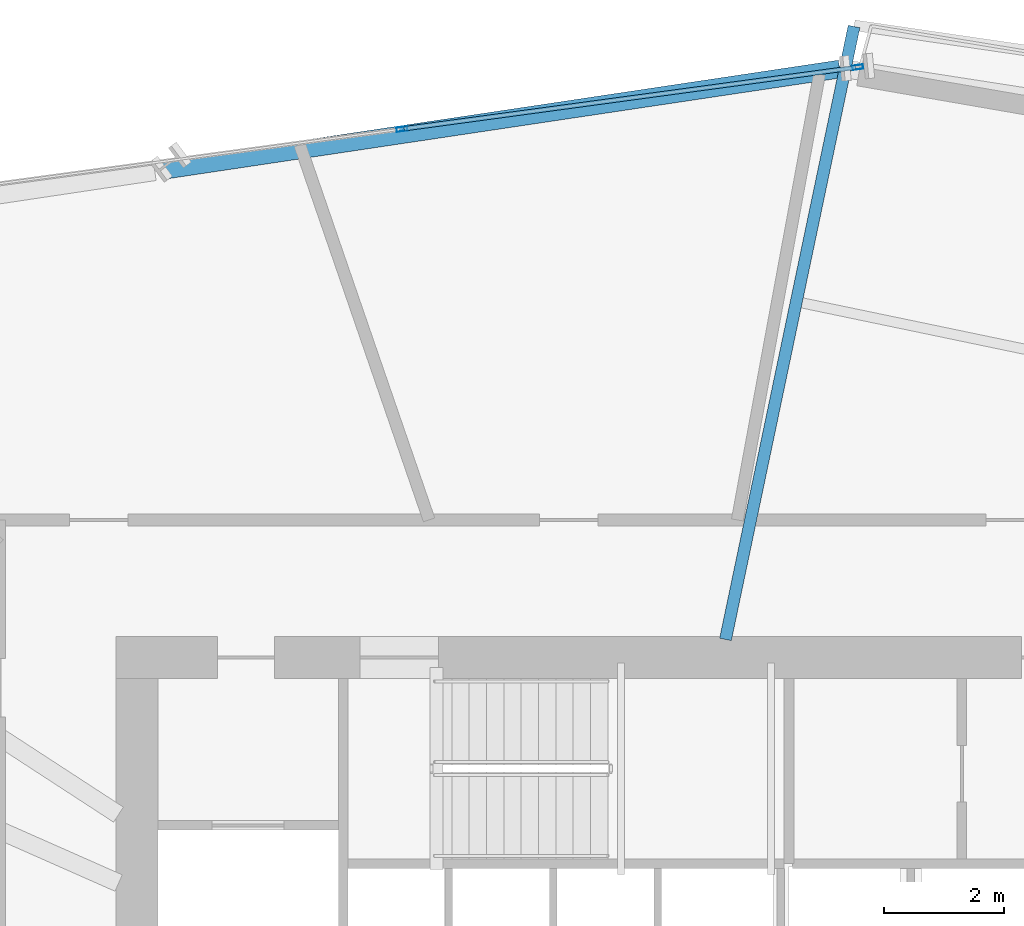
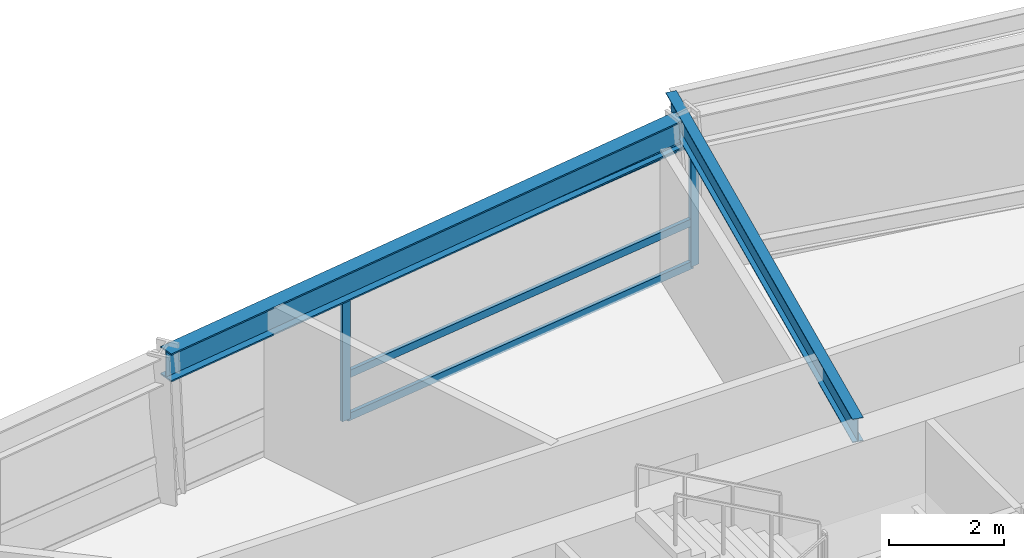
# One storey, part 7 of 16: 5 members, 2 beams, 1 element without a shape of its own.
"""IFC4 building model written with IfcOpenShell, lengths in metres."""

from ifc_helpers import new_model, si_unit, direction, frame, origin, origin_2d, place, context, subcontext, project, spatial, hollow_rectangle, i_section, extrude, source, transform, mapped, material, material_profile, profile_set, type_object, element, aggregate, save


model = new_model("IFC4")

# Units and contexts
model_context = context("Model", 3, precision=1e-05, world=origin(), true_north=direction((0.0, 1.0)))
body_context = subcontext(model_context, "Body", "Model", "MODEL_VIEW")
ifc_project = project(units=[si_unit("LENGTHUNIT", "METRE"), si_unit("AREAUNIT", "SQUARE_METRE"), si_unit("VOLUMEUNIT", "CUBIC_METRE"), si_unit("PLANEANGLEUNIT", "RADIAN"), si_unit("MASSUNIT", "GRAM", prefix="KILO")], contexts=[model_context])

# Site, building, storey
site_placement = place(None, origin())
site = spatial("IfcSite", under=ifc_project, at=site_placement, CompositionType="ELEMENT")
building_placement = place(site_placement, origin())
building = spatial("IfcBuilding", under=site, at=building_placement, Name="Olszyna Solenne Hotel", CompositionType="ELEMENT")
storey_placement = place(building_placement, frame((0.0, 0.0, 127.0)))
storey = spatial("IfcBuildingStorey", under=building, at=storey_placement, Name="L33", CompositionType="ELEMENT", Elevation=127.0)

# Beams
ifc_material_1 = material(Name="Steel S355J2", Category="steel")
ifc_material_profile_1 = material_profile(ifc_material_1, i_section(OverallWidth=0.300048828125, OverallDepth=0.60009765625, WebThickness=0.015380859375, FlangeThickness=0.030029296875, at=origin_2d()), Name="HEB 600", Category="load-bearing")
ifc_profile_set_1 = profile_set([ifc_material_profile_1], Name="Steel S355J2")
beam_type_1 = type_object("IfcBeamType", Name="BM-S2", PredefinedType="BEAM", material=ifc_profile_set_1)
shared_shape_1 = source(origin(), body_context, "Body", "SweptSolid", [
    extrude(i_section(OverallWidth=0.300048828125, OverallDepth=0.60009765625, WebThickness=0.015380859375, FlangeThickness=0.030029296875, at=origin_2d()), origin(), (0.0, 0.0, 1.0), 11.463623046875),
])
beam_1_placement = place(storey_placement, frame((41.506591796875, 43.891845703125, 3.0), z_axis=(-0.988978646664, -0.148058219773, 0.0), x_axis=(0.148058219773, -0.988978646664, 0.0)))
element("IfcBeam", 1, at=beam_1_placement, inside=storey, type_object=beam_type_1, Name="Perimeter spandrel beam BM-S2 B-L33-0989", PredefinedType="BEAM", context=body_context, shape_type="MappedRepresentation", body=[
    mapped(shared_shape_1, transform((0.0, 0.0, 0.0), x_axis=(1.0, 0.0, 0.0), y_axis=(0.0, 1.0, 0.0), z_axis=(0.0, 0.0, 1.0), scale=1.0)),
])
ifc_material_profile_2 = material_profile(ifc_material_1, i_section(OverallWidth=0.199951171875, OverallDepth=0.5, WebThickness=0.01025390625, FlangeThickness=0.01611328125, at=origin_2d()), Name="IPE 500", Category="load-bearing")
ifc_profile_set_2 = profile_set([ifc_material_profile_2], Name="Steel S355J2")
beam_type_2 = type_object("IfcBeamType", Name="BM-F3", PredefinedType="BEAM", material=ifc_profile_set_2)
shared_shape_2 = source(origin(), body_context, "Body", "SweptSolid", [
    extrude(i_section(OverallWidth=0.199951171875, OverallDepth=0.5, WebThickness=0.01025390625, FlangeThickness=0.01611328125, at=origin_2d()), origin(), (0.0, 0.0, 1.0), 10.47607421875),
])
beam_2_placement = place(storey_placement, frame((41.747802734375, 44.60400390625, 3.050048828125), z_axis=(-0.205268131876, -0.978705775009, 0.0), x_axis=(0.978705775009, -0.205268131876, 0.0)))
element("IfcBeam", 2, at=beam_2_placement, inside=storey, type_object=beam_type_2, Name="Radial floor girder BM-F3 B-L33-1001", PredefinedType="BEAM", context=body_context, shape_type="MappedRepresentation", body=[
    mapped(shared_shape_2, transform((0.0, 0.0, 0.0), x_axis=(1.0, 0.0, 0.0), y_axis=(0.0, 1.0, 0.0), z_axis=(0.0, 0.0, 1.0), scale=1.0)),
])

# Curtain wall, members
ifc_material_2 = material(Name="Anodised bronze aluminium", Category="aluminium")
curtain_wall_type = type_object("IfcCurtainWallType", Name="CW-SYS-3", PredefinedType="NOTDEFINED", material=ifc_material_2)
curtain_wall_placement = place(storey_placement, origin())
curtain_wall = element("IfcCurtainWall", 3, at=curtain_wall_placement, inside=storey, type_object=curtain_wall_type, Name="Unitised curtain wall CW-SYS-3 CW-L33-02", PredefinedType="NOTDEFINED")
ifc_material_profile_3 = material_profile(ifc_material_2, hollow_rectangle(XDim=0.074951171875, YDim=0.179931640625, WallThickness=0.00439453125, at=origin_2d()), Name="MULL 180x75x4.5", Category="load-bearing")
ifc_profile_set_3 = profile_set([ifc_material_profile_3], Name="Anodised bronze aluminium")
member_type_1 = type_object("IfcMemberType", Name="CW-M2", PredefinedType="MULLION", material=ifc_profile_set_3)
shared_shape_3 = source(origin(), body_context, "Body", "SweptSolid", [
    extrude(hollow_rectangle(XDim=0.074951171875, YDim=0.179931640625, WallThickness=0.00439453125, at=origin_2d()), origin(), (0.0, 0.0, 1.0), 2.69189453125),
])
member_1_placement = place(storey_placement, frame((34.185546875, 42.888427734375, 0.0), z_axis=(0.0, 0.0, 1.0), x_axis=(-0.134484706965, 0.990915669264, 0.0)))
member_1 = element("IfcMember", 4, at=member_1_placement, type_object=member_type_1, Name="Curtain-wall mullion CW-M2 CM-L33-02-03", PredefinedType="MULLION", context=body_context, shape_type="MappedRepresentation", body=[
    mapped(shared_shape_3, transform((0.0, 0.0, 0.0), x_axis=(1.0, 0.0, 0.0), y_axis=(0.0, 1.0, 0.0), z_axis=(0.0, 0.0, 1.0), scale=1.0)),
])
member_2_placement = place(storey_placement, frame((41.810546875, 43.92333984375, 0.0), z_axis=(0.0, 0.0, 1.0), x_axis=(-0.134484706965, 0.990915669264, 0.0)))
member_2 = element("IfcMember", 5, at=member_2_placement, type_object=member_type_1, Name="Curtain-wall mullion CW-M2 CM-L33-02-04", PredefinedType="MULLION", context=body_context, shape_type="MappedRepresentation", body=[
    mapped(shared_shape_3, transform((0.0, 0.0, 0.0), x_axis=(1.0, 0.0, 0.0), y_axis=(0.0, 1.0, 0.0), z_axis=(0.0, 0.0, 1.0), scale=1.0)),
])
ifc_material_profile_4 = material_profile(ifc_material_2, hollow_rectangle(XDim=0.074951171875, YDim=0.159912109375, WallThickness=0.00390625, at=origin_2d()), Name="TRAN 160x75x4", Category="load-bearing")
ifc_profile_set_4 = profile_set([ifc_material_profile_4], Name="Anodised bronze aluminium")
member_type_2 = type_object("IfcMemberType", Name="CW-T1", PredefinedType="USERDEFINED", material=ifc_profile_set_4)
shared_shape_4 = source(origin(), body_context, "Body", "SweptSolid", [
    extrude(hollow_rectangle(XDim=0.074951171875, YDim=0.159912109375, WallThickness=0.00390625, at=origin_2d()), origin(), (0.0, 0.0, 1.0), 7.619873046875),
])
member_3_placement = place(storey_placement, frame((34.22265625, 42.8935546875, 0.03759765625), z_axis=(0.990917694096, 0.13446978667, 0.0), x_axis=(-0.13446978667, 0.990917694096, 0.0)))
member_3 = element("IfcMember", 6, at=member_3_placement, type_object=member_type_2, Name="Curtain-wall transom CW-T1 CT-L33-02-07", ObjectType="TRANSOM", PredefinedType="USERDEFINED", context=body_context, shape_type="MappedRepresentation", body=[
    mapped(shared_shape_4, transform((0.0, 0.0, 0.0), x_axis=(1.0, 0.0, 0.0), y_axis=(0.0, 1.0, 0.0), z_axis=(0.0, 0.0, 1.0), scale=1.0)),
])
member_4_placement = place(storey_placement, frame((34.22265625, 42.8935546875, 0.949951171875), z_axis=(0.990917694096, 0.13446978667, 0.0), x_axis=(-0.13446978667, 0.990917694096, 0.0)))
member_4 = element("IfcMember", 7, at=member_4_placement, type_object=member_type_2, Name="Curtain-wall transom CW-T1 CT-L33-02-08", ObjectType="TRANSOM", PredefinedType="USERDEFINED", context=body_context, shape_type="MappedRepresentation", body=[
    mapped(shared_shape_4, transform((0.0, 0.0, 0.0), x_axis=(1.0, 0.0, 0.0), y_axis=(0.0, 1.0, 0.0), z_axis=(0.0, 0.0, 1.0), scale=1.0)),
])
member_5_placement = place(storey_placement, frame((34.22265625, 42.8935546875, 2.654541015625), z_axis=(0.990917694096, 0.13446978667, 0.0), x_axis=(-0.13446978667, 0.990917694096, 0.0)))
member_5 = element("IfcMember", 8, at=member_5_placement, type_object=member_type_2, Name="Curtain-wall transom CW-T1 CT-L33-02-09", ObjectType="TRANSOM", PredefinedType="USERDEFINED", context=body_context, shape_type="MappedRepresentation", body=[
    mapped(shared_shape_4, transform((0.0, 0.0, 0.0), x_axis=(1.0, 0.0, 0.0), y_axis=(0.0, 1.0, 0.0), z_axis=(0.0, 0.0, 1.0), scale=1.0)),
])
aggregate(curtain_wall, [member_1, member_2, member_3, member_4, member_5])

save(model, "model.ifc")
